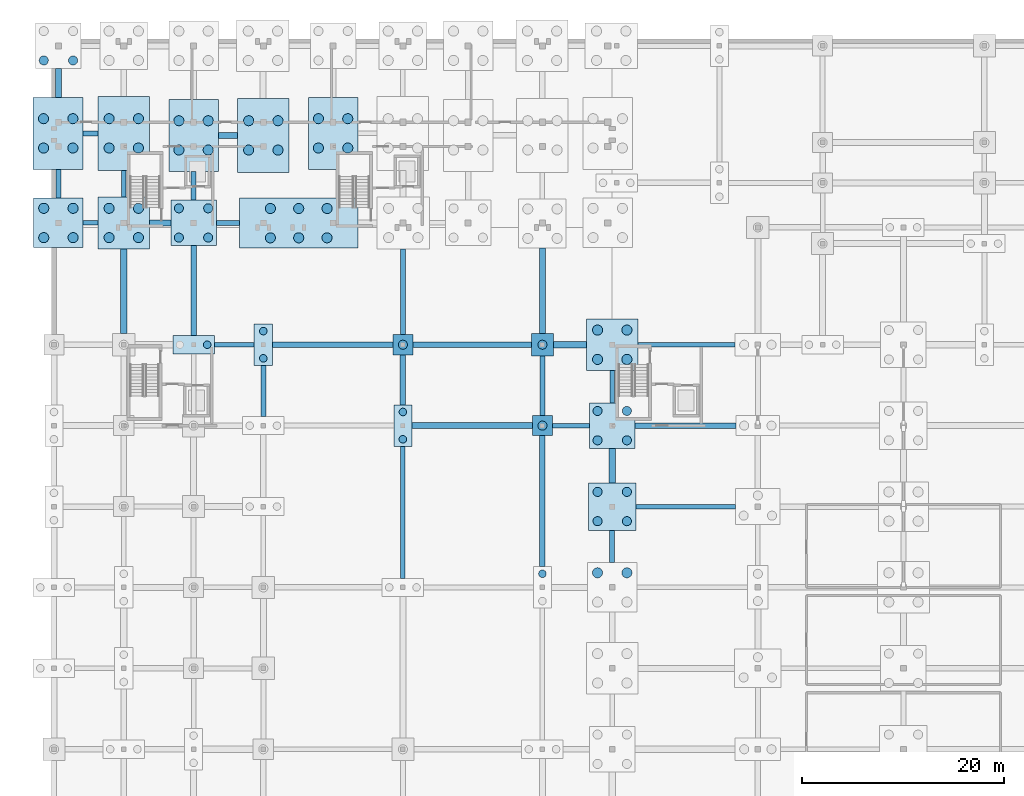
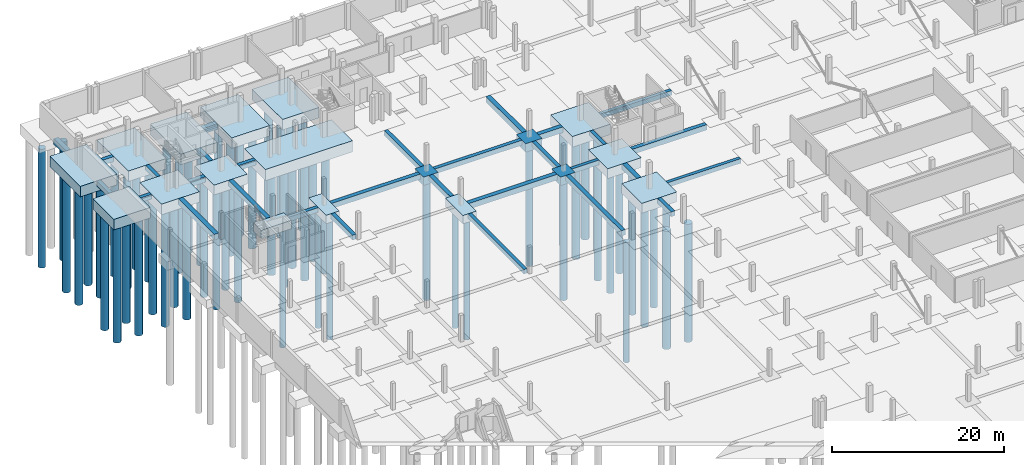
# One storey, part 5 of 38: 63 piles, 48 footings.
"""IFC4 building model written with IfcOpenShell, lengths in metres."""

import ifcopenshell
import ifcopenshell.guid

model = None  # the IFC model being written
_history = None  # IfcOwnerHistory: only IFC2X3 demands one
_inside = {}  # id of a spatial element -> (the spatial element, [elements in it])
_under = {}  # id of a project, library or spatial element -> (it, [spatial elements below it])
_declared = {}  # id of a project -> (the project, [libraries it declares])
_typed = {}  # id of a type object -> (the type object, [elements of that type])
_made_of = {}  # id of a material, layer set ... -> (it, [elements and type objects made of it])


def new_model(schema):
    """Start an empty IFC model of exactly this schema.

    Asked for "IFC4X3", IfcOpenShell would pick the latest addendum, in which some entities
    have other attributes; the version numbers below select the first issue.
    IFC2X3 requires an IfcOwnerHistory on every rooted entity: one is made here for all.
    """
    global model, _history
    if schema == "IFC4X3":
        model = ifcopenshell.file(schema_version=(4, 3, 0, 0))
    else:
        model = ifcopenshell.file(schema=schema)
    _inside.clear()
    _under.clear()
    _declared.clear()
    _typed.clear()
    _made_of.clear()
    _history = None
    if model.schema == "IFC2X3":
        org = make("IfcOrganization", Name="unknown")
        user = make(
            "IfcPersonAndOrganization",
            ThePerson=make("IfcPerson", FamilyName="unknown"),
            TheOrganization=org,
        )
        app = make(
            "IfcApplication",
            ApplicationDeveloper=org,
            Version="unknown",
            ApplicationFullName="unknown",
            ApplicationIdentifier="unknown",
        )
        _history = make(
            "IfcOwnerHistory",
            OwningUser=user,
            OwningApplication=app,
            ChangeAction="ADDED",
            CreationDate=0,
        )
    return model


def make(cls, **values):
    """One entity of the class cls with the attributes given. An attribute that is None is left unset."""
    return model.create_entity(
        cls, **{name: value for name, value in values.items() if value is not None}
    )


def rooted(cls, **values):
    """An entity with a GlobalId (a new one), such as an element, a storey or a relation."""
    return make(cls, GlobalId=ifcopenshell.guid.new(), OwnerHistory=_history, **values)


def si_unit(unit_type, name, prefix=None):
    """IfcSIUnit, for example si_unit("LENGTHUNIT", "METRE", prefix="MILLI")."""
    return make("IfcSIUnit", UnitType=unit_type, Prefix=prefix, Name=name)


def assignment(units):
    """IfcUnitAssignment: the units of a project."""
    return None if units is None else make("IfcUnitAssignment", Units=units)


def point(xyz):
    """IfcCartesianPoint."""
    return None if xyz is None else make("IfcCartesianPoint", Coordinates=xyz)


def direction(xyz):
    """IfcDirection."""
    return None if xyz is None else make("IfcDirection", DirectionRatios=xyz)


def frame(location, z_axis=None, x_axis=None):
    """IfcAxis2Placement3D, a coordinate frame: its origin and axes. An axis left out is left unset."""
    return make(
        "IfcAxis2Placement3D",
        Location=point(location),
        Axis=direction(z_axis),
        RefDirection=direction(x_axis),
    )


def frame_2d(location, x_axis=None):
    """IfcAxis2Placement2D, a coordinate frame in the plane: its origin and x axis."""
    return make(
        "IfcAxis2Placement2D", Location=point(location), RefDirection=direction(x_axis)
    )


def origin():
    """The frame at (0, 0, 0) with its axes left unset."""
    return frame((0.0, 0.0, 0.0))


def origin_2d():
    """The frame at (0, 0) in the plane with its x axis left unset."""
    return frame_2d((0.0, 0.0))


def place(relative_to, where):
    """IfcLocalPlacement: puts the frame where relative to a parent placement (None: the world)."""
    return make(
        "IfcLocalPlacement", PlacementRelTo=relative_to, RelativePlacement=where
    )


def context(
    kind, dimensions, precision=None, world=None, true_north=None, identifier=None
):
    """IfcGeometricRepresentationContext, for example the 3D "Model" context."""
    return make(
        "IfcGeometricRepresentationContext",
        ContextIdentifier=identifier,
        ContextType=kind,
        CoordinateSpaceDimension=dimensions,
        Precision=precision,
        WorldCoordinateSystem=world,
        TrueNorth=true_north,
    )


def subcontext(parent, identifier, kind, view, scale=None):
    """IfcGeometricRepresentationSubContext, for example "Body" below "Model"."""
    return make(
        "IfcGeometricRepresentationSubContext",
        ContextIdentifier=identifier,
        ContextType=kind,
        ParentContext=parent,
        TargetScale=scale,
        TargetView=view,
    )


def project(units=None, contexts=None):
    """IfcProject with its units and contexts."""
    return rooted(
        "IfcProject",
        Name="project",
        RepresentationContexts=contexts,
        UnitsInContext=assignment(units),
    )


def spatial(cls, under=None, at=None, **own):
    """A site, building, storey or space (cls), placed at a placement, below another one or the project."""
    s = rooted(cls, ObjectPlacement=at, **own)
    if under is not None:
        _under.setdefault(under.id(), (under, []))[1].append(s)
    return s


def profile(cls, at=None, kind="AREA", **sizes):
    """A parametric profile (cls). Its sizes go by their IFC names, for example OverallWidth=200.0."""
    return make(cls, ProfileType=kind, Position=at, **sizes)


def rectangle(**sizes):
    """IfcRectangleProfileDef."""
    return profile("IfcRectangleProfileDef", **sizes)


def circle(**sizes):
    """IfcCircleProfileDef."""
    return profile("IfcCircleProfileDef", **sizes)


def extrude(swept, where, along, depth):
    """IfcExtrudedAreaSolid: the profile swept, set in the frame where, extruded along a direction by depth."""
    return make(
        "IfcExtrudedAreaSolid",
        SweptArea=swept,
        Position=where,
        ExtrudedDirection=direction(along),
        Depth=depth,
    )


def shape(context_of_items, identifier, shape_type, items):
    """IfcShapeRepresentation: the items that make up one representation, for example the "Body"."""
    return make(
        "IfcShapeRepresentation",
        ContextOfItems=context_of_items,
        RepresentationIdentifier=identifier,
        RepresentationType=shape_type,
        Items=items,
    )


def material(Name=None, Category=None):
    """IfcMaterial."""
    return make("IfcMaterial", Name=Name, Category=Category)


def material_profile(
    of_material, cross_section, Name=None, Category=None, Priority=None
):
    """IfcMaterialProfile: a cross section and its material."""
    return make(
        "IfcMaterialProfile",
        Name=Name,
        Material=of_material,
        Profile=cross_section,
        Priority=Priority,
        Category=Category,
    )


def profile_set(profiles, Name=None, composite=None):
    """IfcMaterialProfileSet."""
    return make(
        "IfcMaterialProfileSet",
        Name=Name,
        MaterialProfiles=profiles,
        CompositeProfile=composite,
    )


def made_of(thing, what):
    """Note that an element or type object is made of a material, layer set ...; save() writes the relation."""
    if what is not None:
        _made_of.setdefault(what.id(), (what, []))[1].append(thing)
    return thing


def type_object(cls, material=None, **own):
    """A type object (cls), such as IfcWallType, which elements share."""
    return made_of(rooted(cls, **own), material)


def element(
    cls,
    number,
    at=None,
    inside=None,
    cuts=None,
    type_object=None,
    material=None,
    context=None,
    identifier="Body",
    shape_type=None,
    held_by="IfcProductDefinitionShape",
    body=None,
    shapes=None,
    **own,
):
    """One element of the class cls, such as IfcWall. Its Tag is "e" and its number.

    at: its placement. inside: the storey or other place that contains it. cuts: it is an
    opening in that element (IfcRelVoidsElement). A single representation is given by context,
    identifier, shape_type and body (its items); several are given by shapes. held_by: the class
    of the entity that holds the representations. save() writes the other relations.
    """
    e = rooted(cls, Tag="e%d" % number, ObjectPlacement=at, **own)
    if body is not None:
        shapes = [shape(context, identifier, shape_type, body)]
    if shapes is not None:
        e.Representation = make(held_by, Representations=shapes)
    if inside is not None:
        _inside.setdefault(inside.id(), (inside, []))[1].append(e)
    if cuts is not None:
        rooted(
            "IfcRelVoidsElement", RelatingBuildingElement=cuts, RelatedOpeningElement=e
        )
    if type_object is not None:
        _typed.setdefault(type_object.id(), (type_object, []))[1].append(e)
    return made_of(e, material)


def aggregate(whole, parts):
    """IfcRelAggregates: a whole, such as a stair, and the parts it consists of."""
    return rooted("IfcRelAggregates", RelatingObject=whole, RelatedObjects=parts)


def save(model, path):
    """Write the relations noted so far, then the file.

    IfcRelAggregates (storeys below a building ...), IfcRelContainedInSpatialStructure (elements
    in a storey), IfcRelDefinesByType, IfcRelAssociatesMaterial and IfcRelDeclares: one each for
    every whole, place, type object, material and project.
    """
    for whole, parts in _under.values():
        aggregate(whole, parts)
    for where, things in _inside.values():
        rooted(
            "IfcRelContainedInSpatialStructure",
            RelatedElements=things,
            RelatingStructure=where,
        )
    for kind, things in _typed.values():
        rooted("IfcRelDefinesByType", RelatedObjects=things, RelatingType=kind)
    for what, things in _made_of.values():
        rooted("IfcRelAssociatesMaterial", RelatedObjects=things, RelatingMaterial=what)
    for by, libraries in _declared.values():
        rooted("IfcRelDeclares", RelatingContext=by, RelatedDefinitions=libraries)
    model.write(path)


model = new_model("IFC4")

# Units and contexts
model_context = context("Model", 3, precision=1e-05, world=origin(), true_north=direction((0.0, 1.0)))
body_context = subcontext(model_context, "Body", "Model", "MODEL_VIEW")
ifc_project = project(units=[si_unit("LENGTHUNIT", "METRE"), si_unit("AREAUNIT", "SQUARE_METRE"), si_unit("VOLUMEUNIT", "CUBIC_METRE"), si_unit("PLANEANGLEUNIT", "RADIAN"), si_unit("MASSUNIT", "GRAM", prefix="KILO")], contexts=[model_context])

# Site, building, storey
site_placement = place(None, origin())
site = spatial("IfcSite", under=ifc_project, at=site_placement, CompositionType="ELEMENT")
building_placement = place(site_placement, origin())
building = spatial("IfcBuilding", under=site, at=building_placement, Name="Zavelmont Quarter", CompositionType="ELEMENT")
storey_placement = place(building_placement, frame((0.0, 0.0, -3.800048828125)))
storey = spatial("IfcBuildingStorey", under=building, at=storey_placement, Name="B01", CompositionType="ELEMENT", Elevation=-3.800048828125)

# Footings
ifc_material = material(Name="Concrete C35/45", Category="concrete")
footing_type_1 = type_object("IfcFootingType", Name="GB01", PredefinedType="FOOTING_BEAM", material=ifc_material)
footing_1_placement = place(storey_placement, frame((41.35009765625, 86.0, -0.69970703125), z_axis=(0.0, 0.0, 1.0), x_axis=(1.0, 0.0, 0.0)))
element("IfcFooting", 1, at=footing_1_placement, inside=storey, type_object=footing_type_1, Name="B01 ground beam GB01 at 7/N", PredefinedType="FOOTING_BEAM", context=body_context, shape_type="SweptSolid", body=[
    extrude(rectangle(XDim=11.699951171875, YDim=0.5, at=origin_2d()), origin(), (0.0, 0.0, 1.0), 0.699951171875),
])
footing_2_placement = place(storey_placement, frame((17.199951171875, 98.030029296875, -0.69970703125), z_axis=(0.0, 0.0, 1.0), x_axis=(1.0, 0.0, 0.0)))
element("IfcFooting", 2, at=footing_2_placement, inside=storey, type_object=footing_type_1, Name="B01 ground beam GB01 at 3/P", PredefinedType="FOOTING_BEAM", context=body_context, shape_type="SweptSolid", body=[
    extrude(rectangle(XDim=2.300048828125, YDim=0.5, at=origin_2d()), origin(), (0.0, 0.0, 1.0), 0.699951171875),
])
footing_3_placement = place(storey_placement, frame((3.6201171875, 106.89990234375, -0.69970703125), z_axis=(0.0, 0.0, 1.0), x_axis=(1.0, 0.0, 0.0)))
element("IfcFooting", 3, at=footing_3_placement, inside=storey, type_object=footing_type_1, Name="B01 ground beam GB01 at 2/R", PredefinedType="FOOTING_BEAM", context=body_context, shape_type="SweptSolid", body=[
    extrude(rectangle(XDim=1.4599609375, YDim=0.5, at=origin_2d()), origin(), (0.0, 0.0, 1.0), 0.699951171875),
])
for number, where, z_axis, x_axis, name in (
    (4, (0.429931640625, 101.919921875, -0.69970703125), (0.0, 0.0, 1.0), (0.0, 1.0, 0.0), "B01 ground beam GB01 at 1/Q"),
    (5, (13.800048828125, 101.719970703125, -0.69970703125), (0.0, 0.0, 1.0), (0.0, 1.0, 0.0), "B01 ground beam GB01 at 3/Q"),
):
    element("IfcFooting", number, at=place(storey_placement, frame(where, z_axis=z_axis, x_axis=x_axis)), inside=storey, type_object=footing_type_1, Name=name, PredefinedType="FOOTING_BEAM", context=body_context, shape_type="SweptSolid", body=[
        extrude(rectangle(XDim=2.860107421875, YDim=0.5, at=origin_2d()), origin(), (0.0, 0.0, 1.0), 0.699951171875),
    ])
footing_4_placement = place(storey_placement, frame((20.699951171875, 81.425048828125, -0.69970703125), z_axis=(0.0, 0.0, 1.0), x_axis=(0.0, 1.0, 0.0)))
element("IfcFooting", 6, at=footing_4_placement, inside=storey, type_object=footing_type_1, Name="B01 ground beam GB01 at 4/M", PredefinedType="FOOTING_BEAM", context=body_context, shape_type="SweptSolid", body=[
    extrude(rectangle(XDim=5.050048828125, YDim=0.5, at=origin_2d()), origin(), (0.0, 0.0, 1.0), 0.699951171875),
])
footing_5_placement = place(storey_placement, frame((34.52001953125, 91.2451171875, -0.69970703125), z_axis=(0.0, 0.0, 1.0), x_axis=(0.0, 1.0, 0.0)))
element("IfcFooting", 7, at=footing_5_placement, inside=storey, type_object=footing_type_1, Name="B01 ground beam GB01 at 6/N", PredefinedType="FOOTING_BEAM", context=body_context, shape_type="SweptSolid", body=[
    extrude(rectangle(XDim=8.489990234375, YDim=0.5, at=origin_2d()), origin(), (0.0, 0.0, 1.0), 0.699951171875),
])
footing_6_placement = place(storey_placement, frame((48.300048828125, 81.949951171875, -0.69970703125), z_axis=(0.0, 0.0, 1.0), x_axis=(0.0, 1.0, 0.0)))
element("IfcFooting", 8, at=footing_6_placement, inside=storey, type_object=footing_type_1, Name="B01 ground beam GB01 at 8/M", PredefinedType="FOOTING_BEAM", context=body_context, shape_type="SweptSolid", body=[
    extrude(rectangle(XDim=5.89990234375, YDim=0.5, at=origin_2d()), origin(), (0.0, 0.0, 1.0), 0.699951171875),
])
footing_7_placement = place(storey_placement, frame((55.199951171875, 66.050048828125, -0.69970703125), z_axis=(0.0, 0.0, 1.0), x_axis=(0.0, 1.0, 0.0)))
element("IfcFooting", 9, at=footing_7_placement, inside=storey, type_object=footing_type_1, Name="B01 ground beam GB01 at 9/L", PredefinedType="FOOTING_BEAM", context=body_context, shape_type="SweptSolid", body=[
    extrude(rectangle(XDim=3.199951171875, YDim=0.5, at=origin_2d()), origin(), (0.0, 0.0, 1.0), 0.699951171875),
])
footing_type_2 = type_object("IfcFootingType", Name="GB02", PredefinedType="FOOTING_BEAM", material=ifc_material)
footing_8_placement = place(storey_placement, frame((41.35009765625, 78.0, -0.7998046875), z_axis=(0.0, 0.0, 1.0), x_axis=(1.0, 0.0, 0.0)))
element("IfcFooting", 10, at=footing_8_placement, inside=storey, type_object=footing_type_2, Name="B01 ground beam GB02 at 7/M", PredefinedType="FOOTING_BEAM", context=body_context, shape_type="SweptSolid", body=[
    extrude(rectangle(XDim=11.89990234375, YDim=0.60009765625, at=origin_2d()), origin(), (0.0, 0.0, 1.0), 0.800048828125),
])
footing_9_placement = place(storey_placement, frame((51.02490234375, 86.0, -0.7998046875), z_axis=(0.0, 0.0, 1.0), x_axis=(1.0, 0.0, 0.0)))
element("IfcFooting", 11, at=footing_9_placement, inside=storey, type_object=footing_type_2, Name="B01 ground beam GB02 at 8/N", PredefinedType="FOOTING_BEAM", context=body_context, shape_type="SweptSolid", body=[
    extrude(rectangle(XDim=3.25, YDim=0.60009765625, at=origin_2d()), origin(), (0.0, 0.0, 1.0), 0.800048828125),
])
footing_10_placement = place(storey_placement, frame((17.199951171875, 106.699951171875, -0.7998046875), z_axis=(0.0, 0.0, 1.0), x_axis=(1.0, 0.0, 0.0)))
element("IfcFooting", 12, at=footing_10_placement, inside=storey, type_object=footing_type_2, Name="B01 ground beam GB02 at 3/Q", PredefinedType="FOOTING_BEAM", context=body_context, shape_type="SweptSolid", body=[
    extrude(rectangle(XDim=1.89990234375, YDim=0.60009765625, at=origin_2d()), origin(), (0.0, 0.0, 1.0), 0.800048828125),
])
footing_11_placement = place(storey_placement, frame((0.429931640625, 111.8798828125, -0.7998046875), z_axis=(0.0, 0.0, 1.0), x_axis=(0.0, 1.0, 0.0)))
element("IfcFooting", 13, at=footing_11_placement, inside=storey, type_object=footing_type_2, Name="B01 ground beam GB02 at 1/R", PredefinedType="FOOTING_BEAM", context=body_context, shape_type="SweptSolid", body=[
    extrude(rectangle(XDim=2.860107421875, YDim=0.60009765625, at=origin_2d()), origin(), (0.0, 0.0, 1.0), 0.800048828125),
])
footing_12_placement = place(storey_placement, frame((6.89990234375, 91.294921875, -0.7998046875), z_axis=(0.0, 0.0, 1.0), x_axis=(0.0, 1.0, 0.0)))
element("IfcFooting", 14, at=footing_12_placement, inside=storey, type_object=footing_type_2, Name="B01 ground beam GB02 at 2/N", PredefinedType="FOOTING_BEAM", context=body_context, shape_type="SweptSolid", body=[
    extrude(rectangle(XDim=8.389892578125, YDim=0.60009765625, at=origin_2d()), origin(), (0.0, 0.0, 1.0), 0.800048828125),
])
footing_13_placement = place(storey_placement, frame((48.300048828125, 91.324951171875, -0.7998046875), z_axis=(0.0, 0.0, 1.0), x_axis=(0.0, 1.0, 0.0)))
element("IfcFooting", 15, at=footing_13_placement, inside=storey, type_object=footing_type_2, Name="B01 ground beam GB02 at 8/N", PredefinedType="FOOTING_BEAM", context=body_context, shape_type="SweptSolid", body=[
    extrude(rectangle(XDim=8.449951171875, YDim=0.60009765625, at=origin_2d()), origin(), (0.0, 0.0, 1.0), 0.800048828125),
])
footing_14_placement = place(storey_placement, frame((55.199951171875, 74.050048828125, -0.7998046875), z_axis=(0.0, 0.0, 1.0), x_axis=(0.0, 1.0, 0.0)))
element("IfcFooting", 16, at=footing_14_placement, inside=storey, type_object=footing_type_2, Name="B01 ground beam GB02 at 9/M", PredefinedType="FOOTING_BEAM", context=body_context, shape_type="SweptSolid", body=[
    extrude(rectangle(XDim=3.39990234375, YDim=0.60009765625, at=origin_2d()), origin(), (0.0, 0.0, 1.0), 0.800048828125),
])
footing_type_3 = type_object("IfcFootingType", Name="GB03", PredefinedType="FOOTING_BEAM", material=ifc_material)
footing_15_placement = place(storey_placement, frame((62.47509765625, 70.0, -0.64990234375), z_axis=(0.0, 0.0, 1.0), x_axis=(1.0, 0.0, 0.0)))
element("IfcFooting", 17, at=footing_15_placement, inside=storey, type_object=footing_type_3, Name="B01 ground beam GB03 at 10/L", PredefinedType="FOOTING_BEAM", context=body_context, shape_type="SweptSolid", body=[
    extrude(rectangle(XDim=9.85009765625, YDim=0.449951171875, at=origin_2d()), origin(), (0.0, 0.0, 1.0), 0.64990234375),
])
footing_16_placement = place(storey_placement, frame((51.125, 78.0, -0.64990234375), z_axis=(0.0, 0.0, 1.0), x_axis=(1.0, 0.0, 0.0)))
element("IfcFooting", 18, at=footing_16_placement, inside=storey, type_object=footing_type_3, Name="B01 ground beam GB03 at 8/M", PredefinedType="FOOTING_BEAM", context=body_context, shape_type="SweptSolid", body=[
    extrude(rectangle(XDim=3.64990234375, YDim=0.449951171875, at=origin_2d()), origin(), (0.0, 0.0, 1.0), 0.64990234375),
])
footing_17_placement = place(storey_placement, frame((17.824951171875, 86.0, -0.64990234375), z_axis=(0.0, 0.0, 1.0), x_axis=(1.0, 0.0, 0.0)))
element("IfcFooting", 19, at=footing_17_placement, inside=storey, type_object=footing_type_3, Name="B01 ground beam GB03 at 4/N", PredefinedType="FOOTING_BEAM", context=body_context, shape_type="SweptSolid", body=[
    extrude(rectangle(XDim=3.949951171875, YDim=0.449951171875, at=origin_2d()), origin(), (0.0, 0.0, 1.0), 0.64990234375),
])
footing_18_placement = place(storey_placement, frame((62.550048828125, 86.0, -0.64990234375), z_axis=(0.0, 0.0, 1.0), x_axis=(1.0, 0.0, 0.0)))
element("IfcFooting", 20, at=footing_18_placement, inside=storey, type_object=footing_type_3, Name="B01 ground beam GB03 at 10/N", PredefinedType="FOOTING_BEAM", context=body_context, shape_type="SweptSolid", body=[
    extrude(rectangle(XDim=9.60009765625, YDim=0.449951171875, at=origin_2d()), origin(), (0.0, 0.0, 1.0), 0.64990234375),
])
footing_19_placement = place(storey_placement, frame((3.6201171875, 98.0400390625, -0.64990234375), z_axis=(0.0, 0.0, 1.0), x_axis=(1.0, 0.0, 0.0)))
element("IfcFooting", 21, at=footing_19_placement, inside=storey, type_object=footing_type_3, Name="B01 ground beam GB03 at 2/P", PredefinedType="FOOTING_BEAM", context=body_context, shape_type="SweptSolid", body=[
    extrude(rectangle(XDim=1.4599609375, YDim=0.449951171875, at=origin_2d()), origin(), (0.0, 0.0, 1.0), 0.64990234375),
])
footing_20_placement = place(storey_placement, frame((6.89990234375, 101.919921875, -0.64990234375), z_axis=(0.0, 0.0, 1.0), x_axis=(0.0, 1.0, 0.0)))
element("IfcFooting", 22, at=footing_20_placement, inside=storey, type_object=footing_type_3, Name="B01 ground beam GB03 at 2/Q", PredefinedType="FOOTING_BEAM", context=body_context, shape_type="SweptSolid", body=[
    extrude(rectangle(XDim=2.659912109375, YDim=0.449951171875, at=origin_2d()), origin(), (0.0, 0.0, 1.0), 0.64990234375),
])
footing_21_placement = place(storey_placement, frame((34.5, 69.425048828125, -0.64990234375), z_axis=(0.0, 0.0, 1.0), x_axis=(0.0, 1.0, 0.0)))
element("IfcFooting", 23, at=footing_21_placement, inside=storey, type_object=footing_type_3, Name="B01 ground beam GB03 at 6/L", PredefinedType="FOOTING_BEAM", context=body_context, shape_type="SweptSolid", body=[
    extrude(rectangle(XDim=13.050048828125, YDim=0.449951171875, at=origin_2d()), origin(), (0.0, 0.0, 1.0), 0.64990234375),
])
footing_22_placement = place(storey_placement, frame((55.199951171875, 81.85009765625, -0.64990234375), z_axis=(0.0, 0.0, 1.0), x_axis=(0.0, 1.0, 0.0)))
element("IfcFooting", 24, at=footing_22_placement, inside=storey, type_object=footing_type_3, Name="B01 ground beam GB03 at 9/M", PredefinedType="FOOTING_BEAM", context=body_context, shape_type="SweptSolid", body=[
    extrude(rectangle(XDim=3.199951171875, YDim=0.449951171875, at=origin_2d()), origin(), (0.0, 0.0, 1.0), 0.64990234375),
])
footing_type_4 = type_object("IfcFootingType", Name="GB04", PredefinedType="FOOTING_BEAM", material=ifc_material)
footing_23_placement = place(storey_placement, frame((62.449951171875, 78.0, -0.75), z_axis=(0.0, 0.0, 1.0), x_axis=(1.0, 0.0, 0.0)))
element("IfcFooting", 25, at=footing_23_placement, inside=storey, type_object=footing_type_4, Name="B01 ground beam GB04 at 10/M", PredefinedType="FOOTING_BEAM", context=body_context, shape_type="SweptSolid", body=[
    extrude(rectangle(XDim=10.0, YDim=0.550048828125, at=origin_2d()), origin(), (0.0, 0.0, 1.0), 0.75),
])
footing_24_placement = place(storey_placement, frame((27.550048828125, 86.0, -0.75), z_axis=(0.0, 0.0, 1.0), x_axis=(1.0, 0.0, 0.0)))
element("IfcFooting", 26, at=footing_24_placement, inside=storey, type_object=footing_type_4, Name="B01 ground beam GB04 at 5/N", PredefinedType="FOOTING_BEAM", context=body_context, shape_type="SweptSolid", body=[
    extrude(rectangle(XDim=11.89990234375, YDim=0.550048828125, at=origin_2d()), origin(), (0.0, 0.0, 1.0), 0.75),
])
footing_25_placement = place(storey_placement, frame((10.5, 98.0400390625, -0.75), z_axis=(0.0, 0.0, 1.0), x_axis=(1.0, 0.0, 0.0)))
element("IfcFooting", 27, at=footing_25_placement, inside=storey, type_object=footing_type_4, Name="B01 ground beam GB04 at 3/P", PredefinedType="FOOTING_BEAM", context=body_context, shape_type="SweptSolid", body=[
    extrude(rectangle(XDim=2.10009765625, YDim=0.550048828125, at=origin_2d()), origin(), (0.0, 0.0, 1.0), 0.75),
])
footing_26_placement = place(storey_placement, frame((13.800048828125, 91.344970703125, -0.75), z_axis=(0.0, 0.0, 1.0), x_axis=(0.0, 1.0, 0.0)))
element("IfcFooting", 28, at=footing_26_placement, inside=storey, type_object=footing_type_4, Name="B01 ground beam GB04 at 3/N", PredefinedType="FOOTING_BEAM", context=body_context, shape_type="SweptSolid", body=[
    extrude(rectangle(XDim=8.889892578125, YDim=0.550048828125, at=origin_2d()), origin(), (0.0, 0.0, 1.0), 0.75),
])
footing_27_placement = place(storey_placement, frame((34.5, 82.52490234375, -0.75), z_axis=(0.0, 0.0, 1.0), x_axis=(0.0, 1.0, 0.0)))
element("IfcFooting", 29, at=footing_27_placement, inside=storey, type_object=footing_type_4, Name="B01 ground beam GB04 at 6/N", PredefinedType="FOOTING_BEAM", context=body_context, shape_type="SweptSolid", body=[
    extrude(rectangle(XDim=4.949951171875, YDim=0.550048828125, at=origin_2d()), origin(), (0.0, 0.0, 1.0), 0.75),
])
footing_28_placement = place(storey_placement, frame((48.300048828125, 70.52490234375, -0.75), z_axis=(0.0, 0.0, 1.0), x_axis=(0.0, 1.0, 0.0)))
element("IfcFooting", 30, at=footing_28_placement, inside=storey, type_object=footing_type_4, Name="B01 ground beam GB04 at 8/L", PredefinedType="FOOTING_BEAM", context=body_context, shape_type="SweptSolid", body=[
    extrude(rectangle(XDim=12.949951171875, YDim=0.550048828125, at=origin_2d()), origin(), (0.0, 0.0, 1.0), 0.75),
])

# Piles
ifc_material_profile_1 = material_profile(ifc_material, circle(Radius=0.5, at=origin_2d()), Name="BP1000")
ifc_profile_set_1 = profile_set([ifc_material_profile_1], Name="Concrete C35/45")
pile_type_1 = type_object("IfcPileType", Name="P00", PredefinedType="BORED", material=ifc_profile_set_1)
for number, where, z_axis, x_axis, name in (
    (31, (21.39990234375, 96.570068359375, -1.5), (0.0, 0.0, -1.0), (1.0, 0.0, 0.0), "B01 bored pile P00 under CAP-167.1"),
    (32, (24.199951171875, 96.570068359375, -1.5), (0.0, 0.0, -1.0), (1.0, 0.0, 0.0), "B01 bored pile P00 under CAP-167.2"),
    (33, (27.0, 96.570068359375, -1.5), (0.0, 0.0, -1.0), (1.0, 0.0, 0.0), "B01 bored pile P00 under CAP-167.3"),
    (34, (21.39990234375, 99.469970703125, -1.5), (0.0, 0.0, -1.0), (1.0, 0.0, 0.0), "B01 bored pile P00 under CAP-167.4"),
    (35, (24.199951171875, 99.469970703125, -1.5), (0.0, 0.0, -1.0), (1.0, 0.0, 0.0), "B01 bored pile P00 under CAP-167.5"),
    (36, (27.0, 99.469970703125, -1.5), (0.0, 0.0, -1.0), (1.0, 0.0, 0.0), "B01 bored pile P00 under CAP-167.6"),
):
    element("IfcPile", number, at=place(storey_placement, frame(where, z_axis=z_axis, x_axis=x_axis)), inside=storey, type_object=pile_type_1, Name=name, PredefinedType="BORED", context=body_context, shape_type="SweptSolid", body=[
        extrude(circle(Radius=0.5, at=origin_2d()), origin(), (0.0, 0.0, 1.0), 16.699951171875),
    ])
ifc_material_profile_2 = material_profile(ifc_material, circle(Radius=0.5, at=origin_2d()), Name="BP1000")
ifc_profile_set_2 = profile_set([ifc_material_profile_2], Name="Concrete C35/45")
pile_type_2 = type_object("IfcPileType", Name="P01", PredefinedType="BORED", material=ifc_profile_set_2)
for number, where, z_axis, x_axis, name in (
    (37, (56.64990234375, 63.449951171875, -1.39990234375), (0.0, 0.0, -1.0), (1.0, 0.0, 0.0), "B01 bored pile P01 under CAP-112.3"),
    (38, (53.75, 63.449951171875, -1.39990234375), (0.0, 0.0, -1.0), (1.0, 0.0, 0.0), "B01 bored pile P01 under CAP-112.4"),
    (39, (53.75, 84.550048828125, -1.39990234375), (0.0, 0.0, -1.0), (1.0, 0.0, 0.0), "B01 bored pile P01 under CAP-153.1"),
    (40, (56.64990234375, 84.550048828125, -1.39990234375), (0.0, 0.0, -1.0), (1.0, 0.0, 0.0), "B01 bored pile P01 under CAP-153.2"),
    (41, (56.64990234375, 87.449951171875, -1.39990234375), (0.0, 0.0, -1.0), (1.0, 0.0, 0.0), "B01 bored pile P01 under CAP-153.3"),
    (42, (53.75, 87.449951171875, -1.39990234375), (0.0, 0.0, -1.0), (1.0, 0.0, 0.0), "B01 bored pile P01 under CAP-153.4"),
    (43, (-1.010009765625, 96.590087890625, -1.39990234375), (0.0, 0.0, -1.0), (1.0, 0.0, 0.0), "B01 bored pile P01 under CAP-169.1"),
    (44, (1.889892578125, 96.590087890625, -1.39990234375), (0.0, 0.0, -1.0), (1.0, 0.0, 0.0), "B01 bored pile P01 under CAP-169.2"),
    (45, (1.889892578125, 99.489990234375, -1.39990234375), (0.0, 0.0, -1.0), (1.0, 0.0, 0.0), "B01 bored pile P01 under CAP-169.3"),
    (46, (-1.010009765625, 99.489990234375, -1.39990234375), (0.0, 0.0, -1.0), (1.0, 0.0, 0.0), "B01 bored pile P01 under CAP-169.4"),
    (47, (5.449951171875, 96.590087890625, -1.39990234375), (0.0, 0.0, -1.0), (1.0, 0.0, 0.0), "B01 bored pile P01 under CAP-170.1"),
    (48, (8.35009765625, 96.590087890625, -1.39990234375), (0.0, 0.0, -1.0), (1.0, 0.0, 0.0), "B01 bored pile P01 under CAP-170.2"),
    (49, (8.35009765625, 99.489990234375, -1.39990234375), (0.0, 0.0, -1.0), (1.0, 0.0, 0.0), "B01 bored pile P01 under CAP-170.3"),
    (50, (5.449951171875, 99.489990234375, -1.39990234375), (0.0, 0.0, -1.0), (1.0, 0.0, 0.0), "B01 bored pile P01 under CAP-170.4"),
    (51, (12.35009765625, 105.25, -1.39990234375), (0.0, 0.0, -1.0), (1.0, 0.0, 0.0), "B01 bored pile P01 under CAP-189.1"),
    (52, (15.25, 105.25, -1.39990234375), (0.0, 0.0, -1.0), (1.0, 0.0, 0.0), "B01 bored pile P01 under CAP-189.2"),
    (53, (15.25, 108.14990234375, -1.39990234375), (0.0, 0.0, -1.0), (1.0, 0.0, 0.0), "B01 bored pile P01 under CAP-189.3"),
    (54, (12.35009765625, 108.14990234375, -1.39990234375), (0.0, 0.0, -1.0), (1.0, 0.0, 0.0), "B01 bored pile P01 under CAP-189.4"),
    (55, (19.25, 105.25, -1.39990234375), (0.0, 0.0, -1.0), (1.0, 0.0, 0.0), "B01 bored pile P01 under CAP-190.1"),
    (56, (22.14990234375, 105.25, -1.39990234375), (0.0, 0.0, -1.0), (1.0, 0.0, 0.0), "B01 bored pile P01 under CAP-190.2"),
    (57, (22.14990234375, 108.14990234375, -1.39990234375), (0.0, 0.0, -1.0), (1.0, 0.0, 0.0), "B01 bored pile P01 under CAP-190.3"),
    (58, (19.25, 108.14990234375, -1.39990234375), (0.0, 0.0, -1.0), (1.0, 0.0, 0.0), "B01 bored pile P01 under CAP-190.4"),
    (59, (-1.030029296875, 105.449951171875, -1.39990234375), (0.0, 0.0, -1.0), (1.0, 0.0, 0.0), "B01 bored pile P01 under CAP-197.1"),
    (60, (1.8701171875, 105.449951171875, -1.39990234375), (0.0, 0.0, -1.0), (1.0, 0.0, 0.0), "B01 bored pile P01 under CAP-197.2"),
    (61, (1.8701171875, 108.35009765625, -1.39990234375), (0.0, 0.0, -1.0), (1.0, 0.0, 0.0), "B01 bored pile P01 under CAP-197.3"),
    (62, (-1.030029296875, 108.35009765625, -1.39990234375), (0.0, 0.0, -1.0), (1.0, 0.0, 0.0), "B01 bored pile P01 under CAP-197.4"),
    (63, (5.449951171875, 105.449951171875, -1.39990234375), (0.0, 0.0, -1.0), (1.0, 0.0, 0.0), "B01 bored pile P01 under CAP-198.1"),
    (64, (8.35009765625, 105.449951171875, -1.39990234375), (0.0, 0.0, -1.0), (1.0, 0.0, 0.0), "B01 bored pile P01 under CAP-198.2"),
    (65, (8.35009765625, 108.35009765625, -1.39990234375), (0.0, 0.0, -1.0), (1.0, 0.0, 0.0), "B01 bored pile P01 under CAP-198.3"),
    (66, (5.449951171875, 108.35009765625, -1.39990234375), (0.0, 0.0, -1.0), (1.0, 0.0, 0.0), "B01 bored pile P01 under CAP-198.4"),
    (67, (26.14990234375, 105.449951171875, -1.39990234375), (0.0, 0.0, -1.0), (1.0, 0.0, 0.0), "B01 bored pile P01 under CAP-199.1"),
    (68, (29.050048828125, 105.449951171875, -1.39990234375), (0.0, 0.0, -1.0), (1.0, 0.0, 0.0), "B01 bored pile P01 under CAP-199.2"),
    (69, (29.050048828125, 108.35009765625, -1.39990234375), (0.0, 0.0, -1.0), (1.0, 0.0, 0.0), "B01 bored pile P01 under CAP-199.3"),
    (70, (26.14990234375, 108.35009765625, -1.39990234375), (0.0, 0.0, -1.0), (1.0, 0.0, 0.0), "B01 bored pile P01 under CAP-199.4"),
):
    element("IfcPile", number, at=place(storey_placement, frame(where, z_axis=z_axis, x_axis=x_axis)), inside=storey, type_object=pile_type_2, Name=name, PredefinedType="BORED", context=body_context, shape_type="SweptSolid", body=[
        extrude(circle(Radius=0.5, at=origin_2d()), origin(), (0.0, 0.0, 1.0), 16.800048828125),
    ])
ifc_material_profile_3 = material_profile(ifc_material, circle(Radius=0.449951171875, at=origin_2d()), Name="BP900")
ifc_profile_set_3 = profile_set([ifc_material_profile_3], Name="Concrete C35/45")
pile_type_3 = type_object("IfcPileType", Name="P02", PredefinedType="BORED", material=ifc_profile_set_3)
for number, where, z_axis, x_axis, name in (
    (71, (53.75, 68.550048828125, -1.300048828125), (0.0, 0.0, -1.0), (1.0, 0.0, 0.0), "B01 bored pile P02 under CAP-124.1"),
    (72, (56.64990234375, 68.550048828125, -1.300048828125), (0.0, 0.0, -1.0), (1.0, 0.0, 0.0), "B01 bored pile P02 under CAP-124.2"),
    (73, (56.64990234375, 71.449951171875, -1.300048828125), (0.0, 0.0, -1.0), (1.0, 0.0, 0.0), "B01 bored pile P02 under CAP-124.3"),
    (74, (53.75, 71.449951171875, -1.300048828125), (0.0, 0.0, -1.0), (1.0, 0.0, 0.0), "B01 bored pile P02 under CAP-124.4"),
    (75, (53.75, 76.550048828125, -1.300048828125), (0.0, 0.0, -1.0), (1.0, 0.0, 0.0), "B01 bored pile P02 under CAP-139.1"),
    (76, (56.64990234375, 76.550048828125, -1.300048828125), (0.0, 0.0, -1.0), (1.0, 0.0, 0.0), "B01 bored pile P02 under CAP-139.2"),
    (77, (56.64990234375, 79.449951171875, -1.300048828125), (0.0, 0.0, -1.0), (1.0, 0.0, 0.0), "B01 bored pile P02 under CAP-139.3"),
    (78, (53.75, 79.449951171875, -1.300048828125), (0.0, 0.0, -1.0), (1.0, 0.0, 0.0), "B01 bored pile P02 under CAP-139.4"),
    (79, (12.35009765625, 96.590087890625, -1.300048828125), (0.0, 0.0, -1.0), (1.0, 0.0, 0.0), "B01 bored pile P02 under CAP-171.1"),
    (80, (15.25, 96.590087890625, -1.300048828125), (0.0, 0.0, -1.0), (1.0, 0.0, 0.0), "B01 bored pile P02 under CAP-171.2"),
    (81, (15.25, 99.489990234375, -1.300048828125), (0.0, 0.0, -1.0), (1.0, 0.0, 0.0), "B01 bored pile P02 under CAP-171.3"),
    (82, (12.35009765625, 99.489990234375, -1.300048828125), (0.0, 0.0, -1.0), (1.0, 0.0, 0.0), "B01 bored pile P02 under CAP-171.4"),
    (83, (-1.010009765625, 114.110107421875, -1.300048828125), (0.0, 0.0, -1.0), (1.0, 0.0, 0.0), "B01 bored pile P02 under CAP-206.1"),
    (84, (1.889892578125, 114.110107421875, -1.300048828125), (0.0, 0.0, -1.0), (1.0, 0.0, 0.0), "B01 bored pile P02 under CAP-206.2"),
):
    element("IfcPile", number, at=place(storey_placement, frame(where, z_axis=z_axis, x_axis=x_axis)), inside=storey, type_object=pile_type_3, Name=name, PredefinedType="BORED", context=body_context, shape_type="SweptSolid", body=[
        extrude(circle(Radius=0.449951171875, at=origin_2d()), origin(), (0.0, 0.0, 1.0), 16.89990234375),
    ])
ifc_material_profile_4 = material_profile(ifc_material, circle(Radius=0.449951171875, at=origin_2d()), Name="BP900")
ifc_profile_set_4 = profile_set([ifc_material_profile_4], Name="Concrete C35/45")
pile_type_4 = type_object("IfcPileType", Name="P04", PredefinedType="BORED", material=ifc_profile_set_4)
for number, where, z_axis, x_axis, name in (
    (85, (48.300048828125, 78.0, -1.099853515625), (0.0, 0.0, -1.0), (1.0, 0.0, 0.0), "B01 bored pile P04 under CAP-138.1"),
    (86, (34.5, 86.0, -1.099853515625), (0.0, 0.0, -1.0), (1.0, 0.0, 0.0), "B01 bored pile P04 under CAP-151.1"),
    (87, (48.300048828125, 86.0, -1.099853515625), (0.0, 0.0, -1.0), (1.0, 0.0, 0.0), "B01 bored pile P04 under CAP-152.1"),
):
    element("IfcPile", number, at=place(storey_placement, frame(where, z_axis=z_axis, x_axis=x_axis)), inside=storey, type_object=pile_type_4, Name=name, PredefinedType="BORED", context=body_context, shape_type="SweptSolid", body=[
        extrude(circle(Radius=0.449951171875, at=origin_2d()), origin(), (0.0, 0.0, 1.0), 17.10009765625),
    ])
ifc_material_profile_5 = material_profile(ifc_material, circle(Radius=0.375, at=origin_2d()), Name="BP750")
ifc_profile_set_5 = profile_set([ifc_material_profile_5], Name="Concrete C35/45")
pile_type_5 = type_object("IfcPileType", Name="P05", PredefinedType="BORED", material=ifc_profile_set_5)
for number, where, z_axis, x_axis, name in (
    (88, (48.300048828125, 63.35009765625, -1.099853515625), (0.0, 0.0, -1.0), (1.0, 0.0, 0.0), "B01 bored pile P05 under CAP-111.2"),
    (89, (34.5, 76.64990234375, -1.099853515625), (0.0, 0.0, -1.0), (1.0, 0.0, 0.0), "B01 bored pile P05 under CAP-137.1"),
    (90, (34.5, 79.35009765625, -1.099853515625), (0.0, 0.0, -1.0), (1.0, 0.0, 0.0), "B01 bored pile P05 under CAP-137.2"),
    (91, (15.14990234375, 86.0, -1.099853515625), (0.0, 0.0, -1.0), (1.0, 0.0, 0.0), "B01 bored pile P05 under CAP-149.2"),
    (92, (20.699951171875, 84.64990234375, -1.099853515625), (0.0, 0.0, -1.0), (1.0, 0.0, 0.0), "B01 bored pile P05 under CAP-150.1"),
    (93, (20.699951171875, 87.35009765625, -1.099853515625), (0.0, 0.0, -1.0), (1.0, 0.0, 0.0), "B01 bored pile P05 under CAP-150.2"),
):
    element("IfcPile", number, at=place(storey_placement, frame(where, z_axis=z_axis, x_axis=x_axis)), inside=storey, type_object=pile_type_5, Name=name, PredefinedType="BORED", context=body_context, shape_type="SweptSolid", body=[
        extrude(circle(Radius=0.375, at=origin_2d()), origin(), (0.0, 0.0, 1.0), 17.10009765625),
    ])

# Footings
footing_type_5 = type_object("IfcFootingType", Name="PC03", PredefinedType="PILE_CAP", material=ifc_material)
for number, where, z_axis, x_axis, name in (
    (94, (48.300048828125, 78.0, -1.19970703125), (0.0, 0.0, 1.0), (1.0, 0.0, 0.0), "B01 pile cap PC03 at 8/M"),
    (95, (34.5, 86.0, -1.19970703125), (0.0, 0.0, 1.0), (1.0, 0.0, 0.0), "B01 pile cap PC03 at 6/N"),
):
    element("IfcFooting", number, at=place(storey_placement, frame(where, z_axis=z_axis, x_axis=x_axis)), inside=storey, type_object=footing_type_5, Name=name, PredefinedType="PILE_CAP", context=body_context, shape_type="SweptSolid", body=[
        extrude(rectangle(XDim=2.0, YDim=2.0, at=origin_2d()), origin(), (0.0, 0.0, 1.0), 1.199951171875),
    ])
footing_type_6 = type_object("IfcFootingType", Name="PC04", PredefinedType="PILE_CAP", material=ifc_material)
footing_29_placement = place(storey_placement, frame((48.300048828125, 86.0, -1.19970703125), z_axis=(0.0, 0.0, 1.0), x_axis=(1.0, 0.0, 0.0)))
element("IfcFooting", 96, at=footing_29_placement, inside=storey, type_object=footing_type_6, Name="B01 pile cap PC04 at 8/N", PredefinedType="PILE_CAP", context=body_context, shape_type="SweptSolid", body=[
    extrude(rectangle(XDim=2.199951171875, YDim=2.199951171875, at=origin_2d()), origin(), (0.0, 0.0, 1.0), 1.199951171875),
])
footing_type_7 = type_object("IfcFootingType", Name="PC05", PredefinedType="PILE_CAP", material=ifc_material)
footing_30_placement = place(storey_placement, frame((13.800048828125, 86.0, -1.19970703125), z_axis=(0.0, 0.0, 1.0), x_axis=(1.0, 0.0, 0.0)))
element("IfcFooting", 97, at=footing_30_placement, inside=storey, type_object=footing_type_7, Name="B01 pile cap PC05 at 3/N", PredefinedType="PILE_CAP", context=body_context, shape_type="SweptSolid", body=[
    extrude(rectangle(XDim=4.10009765625, YDim=1.800048828125, at=origin_2d()), origin(), (0.0, 0.0, 1.0), 1.199951171875),
])
footing_type_8 = type_object("IfcFootingType", Name="PC06", PredefinedType="PILE_CAP", material=ifc_material)
for number, where, z_axis, x_axis, name in (
    (98, (34.5, 78.0, -1.19970703125), (0.0, 0.0, 1.0), (1.0, 0.0, 0.0), "B01 pile cap PC06 at 6/M"),
    (99, (20.699951171875, 86.0, -1.19970703125), (0.0, 0.0, 1.0), (1.0, 0.0, 0.0), "B01 pile cap PC06 at 4/N"),
):
    element("IfcFooting", number, at=place(storey_placement, frame(where, z_axis=z_axis, x_axis=x_axis)), inside=storey, type_object=footing_type_8, Name=name, PredefinedType="PILE_CAP", context=body_context, shape_type="SweptSolid", body=[
        extrude(rectangle(XDim=1.800048828125, YDim=4.10009765625, at=origin_2d()), origin(), (0.0, 0.0, 1.0), 1.199951171875),
    ])
footing_type_9 = type_object("IfcFootingType", Name="PC12", PredefinedType="PILE_CAP", material=ifc_material)
for number, where, z_axis, x_axis, name in (
    (100, (55.199951171875, 78.0, -1.39990234375), (0.0, 0.0, 1.0), (1.0, 0.0, 0.0), "B01 pile cap PC12 at 9/M"),
    (101, (13.800048828125, 98.0400390625, -1.39990234375), (0.0, 0.0, 1.0), (1.0, 0.0, 0.0), "B01 pile cap PC12 at 3/P"),
):
    element("IfcFooting", number, at=place(storey_placement, frame(where, z_axis=z_axis, x_axis=x_axis)), inside=storey, type_object=footing_type_9, Name=name, PredefinedType="PILE_CAP", context=body_context, shape_type="SweptSolid", body=[
        extrude(rectangle(XDim=4.5, YDim=4.5, at=origin_2d()), origin(), (0.0, 0.0, 1.0), 1.39990234375),
    ])
footing_type_10 = type_object("IfcFootingType", Name="PC13", PredefinedType="PILE_CAP", material=ifc_material)
footing_31_placement = place(storey_placement, frame((55.199951171875, 70.0, -1.39990234375), z_axis=(0.0, 0.0, 1.0), x_axis=(1.0, 0.0, 0.0)))
element("IfcFooting", 102, at=footing_31_placement, inside=storey, type_object=footing_type_10, Name="B01 pile cap PC13 at 9/L", PredefinedType="PILE_CAP", context=body_context, shape_type="SweptSolid", body=[
    extrude(rectangle(XDim=4.699951171875, YDim=4.699951171875, at=origin_2d()), origin(), (0.0, 0.0, 1.0), 1.39990234375),
])
footing_type_11 = type_object("IfcFootingType", Name="PC14", PredefinedType="PILE_CAP", material=ifc_material)
footing_32_placement = place(storey_placement, frame((0.43994140625, 98.0400390625, -1.5), z_axis=(0.0, 0.0, 1.0), x_axis=(1.0, 0.0, 0.0)))
element("IfcFooting", 103, at=footing_32_placement, inside=storey, type_object=footing_type_11, Name="B01 pile cap PC14 at 1/P", PredefinedType="PILE_CAP", context=body_context, shape_type="SweptSolid", body=[
    extrude(rectangle(XDim=4.89990234375, YDim=4.89990234375, at=origin_2d()), origin(), (0.0, 0.0, 1.0), 1.5),
])
footing_type_12 = type_object("IfcFootingType", Name="PC15", PredefinedType="PILE_CAP", material=ifc_material)
footing_33_placement = place(storey_placement, frame((55.199951171875, 86.0, -1.5), z_axis=(0.0, 0.0, 1.0), x_axis=(1.0, 0.0, 0.0)))
element("IfcFooting", 104, at=footing_33_placement, inside=storey, type_object=footing_type_12, Name="B01 pile cap PC15 at 9/N", PredefinedType="PILE_CAP", context=body_context, shape_type="SweptSolid", body=[
    extrude(rectangle(XDim=5.10009765625, YDim=5.10009765625, at=origin_2d()), origin(), (0.0, 0.0, 1.0), 1.5),
])
footing_type_13 = type_object("IfcFootingType", Name="PCC1170X494", PredefinedType="PILE_CAP", material=ifc_material)
footing_34_placement = place(storey_placement, frame((24.199951171875, 98.02001953125, -1.60009765625), z_axis=(0.0, 0.0, 1.0), x_axis=(1.0, 0.0, 0.0)))
element("IfcFooting", 105, at=footing_34_placement, inside=storey, type_object=footing_type_13, Name="B01 pile cap PCC1170X494 at 5/P", PredefinedType="PILE_CAP", context=body_context, shape_type="SweptSolid", body=[
    extrude(rectangle(XDim=11.699951171875, YDim=4.93994140625, at=origin_2d()), origin(), (0.0, 0.0, 1.0), 1.60009765625),
])
footing_type_14 = type_object("IfcFootingType", Name="PCC490X710", PredefinedType="PILE_CAP", material=ifc_material)
for number, where, z_axis, x_axis, name in (
    (106, (13.800048828125, 106.699951171875, -1.5), (0.0, 0.0, 1.0), (1.0, 0.0, 0.0), "B01 pile cap PCC490X710 at 3/Q"),
    (107, (27.60009765625, 106.89990234375, -1.5), (0.0, 0.0, 1.0), (1.0, 0.0, 0.0), "B01 pile cap PCC490X710 at 5/R"),
):
    element("IfcFooting", number, at=place(storey_placement, frame(where, z_axis=z_axis, x_axis=x_axis)), inside=storey, type_object=footing_type_14, Name=name, PredefinedType="PILE_CAP", context=body_context, shape_type="SweptSolid", body=[
        extrude(rectangle(XDim=4.89990234375, YDim=7.10009765625, at=origin_2d()), origin(), (0.0, 0.0, 1.0), 1.5),
    ])
footing_type_15 = type_object("IfcFootingType", Name="PCC494X710", PredefinedType="PILE_CAP", material=ifc_material)
footing_35_placement = place(storey_placement, frame((0.419921875, 106.89990234375, -1.5), z_axis=(0.0, 0.0, 1.0), x_axis=(1.0, 0.0, 0.0)))
element("IfcFooting", 108, at=footing_35_placement, inside=storey, type_object=footing_type_15, Name="B01 pile cap PCC494X710 at 1/R", PredefinedType="PILE_CAP", context=body_context, shape_type="SweptSolid", body=[
    extrude(rectangle(XDim=4.93994140625, YDim=7.10009765625, at=origin_2d()), origin(), (0.0, 0.0, 1.0), 1.5),
])
footing_type_16 = type_object("IfcFootingType", Name="PCC510X510", PredefinedType="PILE_CAP", material=ifc_material)
footing_36_placement = place(storey_placement, frame((6.89990234375, 98.0400390625, -1.5), z_axis=(0.0, 0.0, 1.0), x_axis=(1.0, 0.0, 0.0)))
element("IfcFooting", 109, at=footing_36_placement, inside=storey, type_object=footing_type_16, Name="B01 pile cap PCC510X510 at 2/P", PredefinedType="PILE_CAP", context=body_context, shape_type="SweptSolid", body=[
    extrude(rectangle(XDim=5.10009765625, YDim=5.10009765625, at=origin_2d()), origin(), (0.0, 0.0, 1.0), 1.5),
])
footing_type_17 = type_object("IfcFootingType", Name="PCC510X730", PredefinedType="PILE_CAP", material=ifc_material)
for number, where, z_axis, x_axis, name in (
    (110, (20.699951171875, 106.699951171875, -1.5), (0.0, 0.0, 1.0), (1.0, 0.0, 0.0), "B01 pile cap PCC510X730 at 4/Q"),
    (111, (6.89990234375, 106.89990234375, -1.5), (0.0, 0.0, 1.0), (1.0, 0.0, 0.0), "B01 pile cap PCC510X730 at 2/R"),
):
    element("IfcFooting", number, at=place(storey_placement, frame(where, z_axis=z_axis, x_axis=x_axis)), inside=storey, type_object=footing_type_17, Name=name, PredefinedType="PILE_CAP", context=body_context, shape_type="SweptSolid", body=[
        extrude(rectangle(XDim=5.10009765625, YDim=7.300048828125, at=origin_2d()), origin(), (0.0, 0.0, 1.0), 1.5),
    ])

save(model, "model.ifc")
